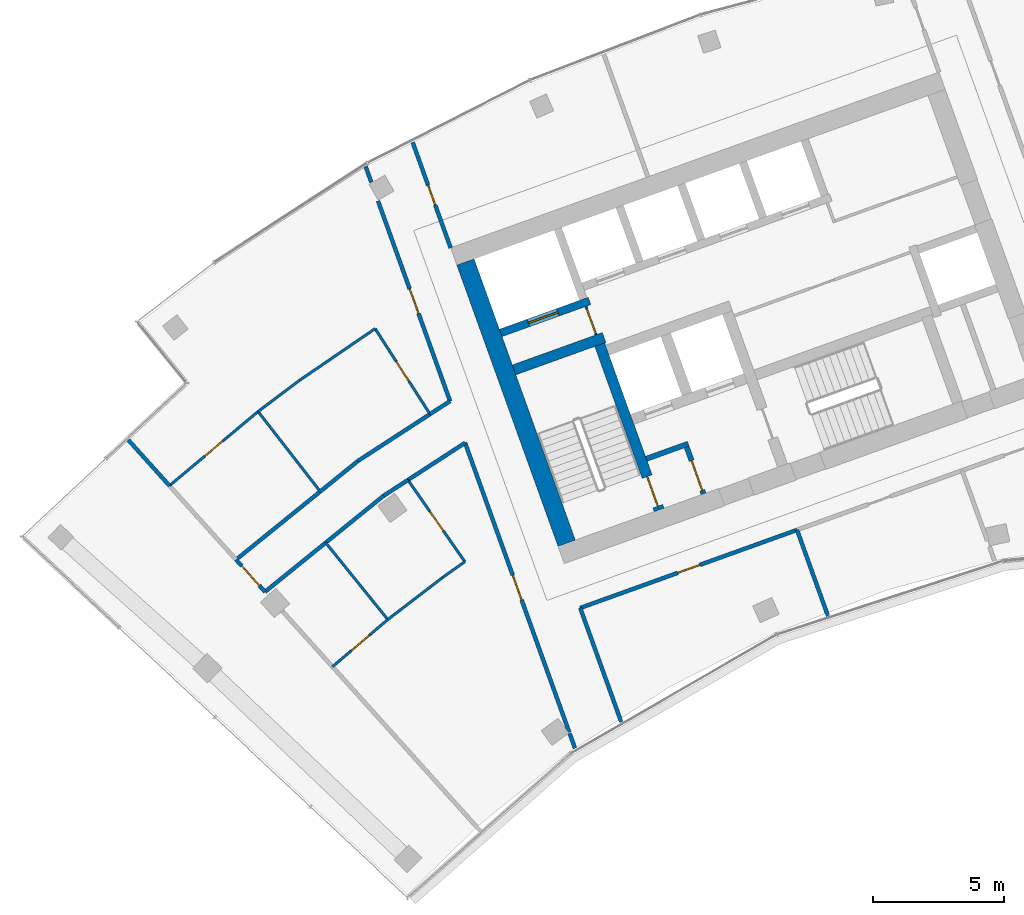
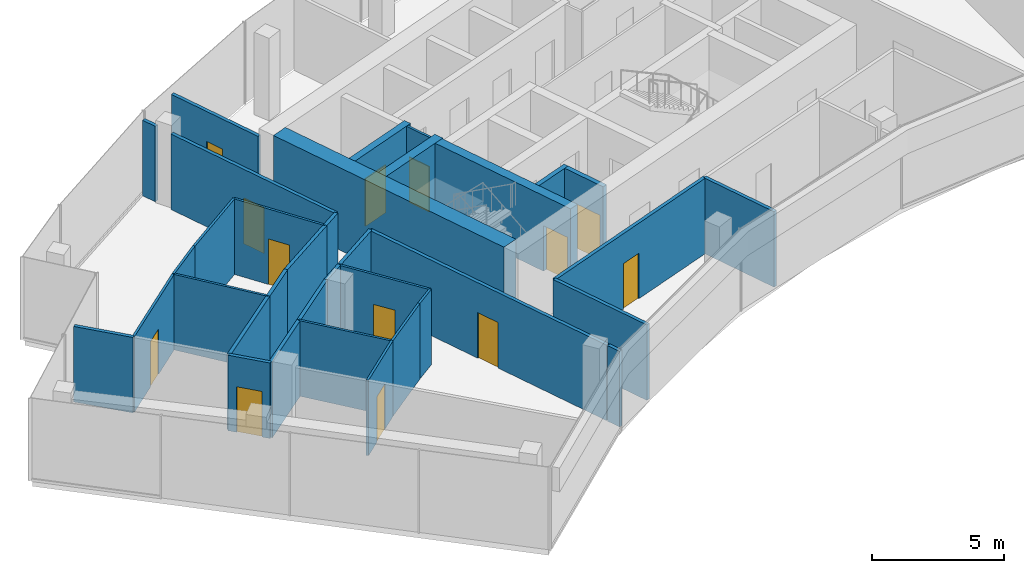
# One storey, part 12 of 18: 35 walls, 13 doors, 13 openings.
"""IFC4 building model written with IfcOpenShell, lengths in metres."""

import ifcopenshell
import ifcopenshell.guid

model = None  # the IFC model being written
_history = None  # IfcOwnerHistory: only IFC2X3 demands one
_inside = {}  # id of a spatial element -> (the spatial element, [elements in it])
_under = {}  # id of a project, library or spatial element -> (it, [spatial elements below it])
_declared = {}  # id of a project -> (the project, [libraries it declares])
_typed = {}  # id of a type object -> (the type object, [elements of that type])
_made_of = {}  # id of a material, layer set ... -> (it, [elements and type objects made of it])


def new_model(schema):
    """Start an empty IFC model of exactly this schema.

    Asked for "IFC4X3", IfcOpenShell would pick the latest addendum, in which some entities
    have other attributes; the version numbers below select the first issue.
    IFC2X3 requires an IfcOwnerHistory on every rooted entity: one is made here for all.
    """
    global model, _history
    if schema == "IFC4X3":
        model = ifcopenshell.file(schema_version=(4, 3, 0, 0))
    else:
        model = ifcopenshell.file(schema=schema)
    _inside.clear()
    _under.clear()
    _declared.clear()
    _typed.clear()
    _made_of.clear()
    _history = None
    if model.schema == "IFC2X3":
        org = make("IfcOrganization", Name="unknown")
        user = make(
            "IfcPersonAndOrganization",
            ThePerson=make("IfcPerson", FamilyName="unknown"),
            TheOrganization=org,
        )
        app = make(
            "IfcApplication",
            ApplicationDeveloper=org,
            Version="unknown",
            ApplicationFullName="unknown",
            ApplicationIdentifier="unknown",
        )
        _history = make(
            "IfcOwnerHistory",
            OwningUser=user,
            OwningApplication=app,
            ChangeAction="ADDED",
            CreationDate=0,
        )
    return model


def make(cls, **values):
    """One entity of the class cls with the attributes given. An attribute that is None is left unset."""
    return model.create_entity(
        cls, **{name: value for name, value in values.items() if value is not None}
    )


def rooted(cls, **values):
    """An entity with a GlobalId (a new one), such as an element, a storey or a relation."""
    return make(cls, GlobalId=ifcopenshell.guid.new(), OwnerHistory=_history, **values)


def si_unit(unit_type, name, prefix=None):
    """IfcSIUnit, for example si_unit("LENGTHUNIT", "METRE", prefix="MILLI")."""
    return make("IfcSIUnit", UnitType=unit_type, Prefix=prefix, Name=name)


def assignment(units):
    """IfcUnitAssignment: the units of a project."""
    return None if units is None else make("IfcUnitAssignment", Units=units)


def point(xyz):
    """IfcCartesianPoint."""
    return None if xyz is None else make("IfcCartesianPoint", Coordinates=xyz)


def direction(xyz):
    """IfcDirection."""
    return None if xyz is None else make("IfcDirection", DirectionRatios=xyz)


def frame(location, z_axis=None, x_axis=None):
    """IfcAxis2Placement3D, a coordinate frame: its origin and axes. An axis left out is left unset."""
    return make(
        "IfcAxis2Placement3D",
        Location=point(location),
        Axis=direction(z_axis),
        RefDirection=direction(x_axis),
    )


def frame_2d(location, x_axis=None):
    """IfcAxis2Placement2D, a coordinate frame in the plane: its origin and x axis."""
    return make(
        "IfcAxis2Placement2D", Location=point(location), RefDirection=direction(x_axis)
    )


def origin():
    """The frame at (0, 0, 0) with its axes left unset."""
    return frame((0.0, 0.0, 0.0))


def place(relative_to, where):
    """IfcLocalPlacement: puts the frame where relative to a parent placement (None: the world)."""
    return make(
        "IfcLocalPlacement", PlacementRelTo=relative_to, RelativePlacement=where
    )


def context(
    kind, dimensions, precision=None, world=None, true_north=None, identifier=None
):
    """IfcGeometricRepresentationContext, for example the 3D "Model" context."""
    return make(
        "IfcGeometricRepresentationContext",
        ContextIdentifier=identifier,
        ContextType=kind,
        CoordinateSpaceDimension=dimensions,
        Precision=precision,
        WorldCoordinateSystem=world,
        TrueNorth=true_north,
    )


def subcontext(parent, identifier, kind, view, scale=None):
    """IfcGeometricRepresentationSubContext, for example "Body" below "Model"."""
    return make(
        "IfcGeometricRepresentationSubContext",
        ContextIdentifier=identifier,
        ContextType=kind,
        ParentContext=parent,
        TargetScale=scale,
        TargetView=view,
    )


def project(units=None, contexts=None):
    """IfcProject with its units and contexts."""
    return rooted(
        "IfcProject",
        Name="project",
        RepresentationContexts=contexts,
        UnitsInContext=assignment(units),
    )


def spatial(cls, under=None, at=None, **own):
    """A site, building, storey or space (cls), placed at a placement, below another one or the project."""
    s = rooted(cls, ObjectPlacement=at, **own)
    if under is not None:
        _under.setdefault(under.id(), (under, []))[1].append(s)
    return s


def profile(cls, at=None, kind="AREA", **sizes):
    """A parametric profile (cls). Its sizes go by their IFC names, for example OverallWidth=200.0."""
    return make(cls, ProfileType=kind, Position=at, **sizes)


def rectangle(**sizes):
    """IfcRectangleProfileDef."""
    return profile("IfcRectangleProfileDef", **sizes)


def extrude(swept, where, along, depth):
    """IfcExtrudedAreaSolid: the profile swept, set in the frame where, extruded along a direction by depth."""
    return make(
        "IfcExtrudedAreaSolid",
        SweptArea=swept,
        Position=where,
        ExtrudedDirection=direction(along),
        Depth=depth,
    )


def shape(context_of_items, identifier, shape_type, items):
    """IfcShapeRepresentation: the items that make up one representation, for example the "Body"."""
    return make(
        "IfcShapeRepresentation",
        ContextOfItems=context_of_items,
        RepresentationIdentifier=identifier,
        RepresentationType=shape_type,
        Items=items,
    )


def material(Name=None, Category=None):
    """IfcMaterial."""
    return make("IfcMaterial", Name=Name, Category=Category)


def layer(
    of_material, thickness, ventilated=None, Name=None, Category=None, Priority=None
):
    """IfcMaterialLayer: one layer of a wall or slab, of a material (None: an air gap)."""
    return make(
        "IfcMaterialLayer",
        Material=of_material,
        LayerThickness=thickness,
        IsVentilated=ventilated,
        Name=Name,
        Category=Category,
        Priority=Priority,
    )


def layer_set(layers, Name=None):
    """IfcMaterialLayerSet."""
    return make("IfcMaterialLayerSet", MaterialLayers=layers, LayerSetName=Name)


def made_of(thing, what):
    """Note that an element or type object is made of a material, layer set ...; save() writes the relation."""
    if what is not None:
        _made_of.setdefault(what.id(), (what, []))[1].append(thing)
    return thing


def type_object(cls, material=None, **own):
    """A type object (cls), such as IfcWallType, which elements share."""
    return made_of(rooted(cls, **own), material)


def element(
    cls,
    number,
    at=None,
    inside=None,
    cuts=None,
    type_object=None,
    material=None,
    context=None,
    identifier="Body",
    shape_type=None,
    held_by="IfcProductDefinitionShape",
    body=None,
    shapes=None,
    **own,
):
    """One element of the class cls, such as IfcWall. Its Tag is "e" and its number.

    at: its placement. inside: the storey or other place that contains it. cuts: it is an
    opening in that element (IfcRelVoidsElement). A single representation is given by context,
    identifier, shape_type and body (its items); several are given by shapes. held_by: the class
    of the entity that holds the representations. save() writes the other relations.
    """
    e = rooted(cls, Tag="e%d" % number, ObjectPlacement=at, **own)
    if body is not None:
        shapes = [shape(context, identifier, shape_type, body)]
    if shapes is not None:
        e.Representation = make(held_by, Representations=shapes)
    if inside is not None:
        _inside.setdefault(inside.id(), (inside, []))[1].append(e)
    if cuts is not None:
        rooted(
            "IfcRelVoidsElement", RelatingBuildingElement=cuts, RelatedOpeningElement=e
        )
    if type_object is not None:
        _typed.setdefault(type_object.id(), (type_object, []))[1].append(e)
    return made_of(e, material)


def fill(opening, filler):
    """IfcRelFillsElement: the door or window that sits in an opening."""
    return rooted(
        "IfcRelFillsElement",
        RelatingOpeningElement=opening,
        RelatedBuildingElement=filler,
    )


def aggregate(whole, parts):
    """IfcRelAggregates: a whole, such as a stair, and the parts it consists of."""
    return rooted("IfcRelAggregates", RelatingObject=whole, RelatedObjects=parts)


def save(model, path):
    """Write the relations noted so far, then the file.

    IfcRelAggregates (storeys below a building ...), IfcRelContainedInSpatialStructure (elements
    in a storey), IfcRelDefinesByType, IfcRelAssociatesMaterial and IfcRelDeclares: one each for
    every whole, place, type object, material and project.
    """
    for whole, parts in _under.values():
        aggregate(whole, parts)
    for where, things in _inside.values():
        rooted(
            "IfcRelContainedInSpatialStructure",
            RelatedElements=things,
            RelatingStructure=where,
        )
    for kind, things in _typed.values():
        rooted("IfcRelDefinesByType", RelatedObjects=things, RelatingType=kind)
    for what, things in _made_of.values():
        rooted("IfcRelAssociatesMaterial", RelatedObjects=things, RelatingMaterial=what)
    for by, libraries in _declared.values():
        rooted("IfcRelDeclares", RelatingContext=by, RelatedDefinitions=libraries)
    model.write(path)


model = new_model("IFC4")

# Units and contexts
model_context = context("Model", 3, precision=1e-05, world=origin(), true_north=direction((0.0, 1.0)))
body_context = subcontext(model_context, "Body", "Model", "MODEL_VIEW")
ifc_project = project(units=[si_unit("LENGTHUNIT", "METRE"), si_unit("AREAUNIT", "SQUARE_METRE"), si_unit("VOLUMEUNIT", "CUBIC_METRE"), si_unit("PLANEANGLEUNIT", "RADIAN"), si_unit("MASSUNIT", "GRAM", prefix="KILO")], contexts=[model_context])

# Site, building, storey
site_placement = place(None, origin())
site = spatial("IfcSite", under=ifc_project, at=site_placement, CompositionType="ELEMENT")
building_placement = place(site_placement, origin())
building = spatial("IfcBuilding", under=site, at=building_placement, Name="Stone Belt Terrace Tower", CompositionType="ELEMENT")
storey_placement = place(building_placement, frame((0.0, 0.0, 273.199951171875)))
storey = spatial("IfcBuildingStorey", under=building, at=storey_placement, Name="L66", CompositionType="ELEMENT", Elevation=273.199951171875)

# Wall, opening, door
ifc_material_1 = material(Name="Plasterboard partition")
ifc_layer_1 = layer(ifc_material_1, 0.10009765625)
ifc_layer_set_1 = layer_set([ifc_layer_1], Name="Core partition 100")
wall_type_1 = type_object("IfcWallType", Name="Core partition 100", PredefinedType="PARTITIONING", material=ifc_layer_set_1)
wall_1_placement = place(storey_placement, frame((-24.555908203125, 51.10400390625, 0.0), z_axis=(0.0, 0.0, 1.0), x_axis=(-0.338621735342, 0.94092258999, 0.0)))
wall_1 = element("IfcWall", 1, at=wall_1_placement, inside=storey, type_object=wall_type_1, Name="Core A wall", PredefinedType="PARTITIONING", context=body_context, shape_type="SweptSolid", body=[
    extrude(rectangle(XDim=1.14990234375, YDim=0.10009765625, at=frame_2d((0.574951171875, 0.0))), origin(), (0.0, 0.0, 1.0), 3.47998046875),
])
opening_1_placement = place(wall_1_placement, frame((0.050048828125, 0.0, 0.0)))
opening_1 = element("IfcOpeningElement", 2, at=opening_1_placement, cuts=wall_1, Name="Opening L66-C03", PredefinedType="OPENING", context=body_context, shape_type="SweptSolid", body=[
    extrude(rectangle(XDim=1.0, YDim=2.10009765625, at=frame_2d((0.5, 1.050048828125))), frame((0.0, 0.06005859375, 0.0), z_axis=(0.0, -1.0, 0.0), x_axis=(1.0, 0.0, 0.0)), (0.0, 0.0, 1.0), 0.1201171875),
])
ifc_material_2 = material(Name="Timber door leaf", Category="wood")
door_type_1 = type_object("IfcDoorType", Name="Core room door 1000", OperationType="SINGLE_SWING_LEFT", PredefinedType="DOOR", material=ifc_material_2)
door_1_placement = place(opening_1_placement, origin())
door_1 = element("IfcDoor", 3, at=door_1_placement, inside=storey, type_object=door_type_1, Name="Service lift lobby door core A", OperationType="SINGLE_SWING_LEFT", OverallHeight=2.10009765625, OverallWidth=1.0, PredefinedType="DOOR", context=body_context, shape_type="SweptSolid", body=[
    extrude(rectangle(XDim=1.0, YDim=2.10009765625, at=frame_2d((0.5, 1.050048828125))), frame((0.0, 0.02490234375, 0.0), z_axis=(0.0, -1.0, 0.0), x_axis=(1.0, 0.0, 0.0)), (0.0, 0.0, 1.0), 0.050048828125),
])
fill(opening_1, door_1)

# Wall
ifc_material_3 = material(Name="Concrete B60", Category="concrete")
ifc_layer_2 = layer(ifc_material_3, 0.699951171875)
ifc_layer_set_2 = layer_set([ifc_layer_2], Name="Core wall 700 B60")
wall_type_2 = type_object("IfcWallType", Name="Core wall 700 B60", PredefinedType="SHEAR", material=ifc_layer_set_2)
wall_2_placement = place(storey_placement, frame((-25.679931640625, 43.153564453125, 0.0), z_axis=(0.0, 0.0, 1.0), x_axis=(-0.338625431531, 0.940921259788, 0.0)))
element("IfcWall", 4, at=wall_2_placement, inside=storey, type_object=wall_type_2, Name="Core A wall end_a L66", PredefinedType="SHEAR", context=body_context, shape_type="SweptSolid", body=[
    extrude(rectangle(XDim=11.400146484375, YDim=0.699951171875, at=frame_2d((5.7001953125, 0.0))), origin(), (0.0, 0.0, 1.0), 3.800048828125),
])

# Wall, opening, door
ifc_material_4 = material(Name="Concrete B80", Category="concrete")
ifc_layer_3 = layer(ifc_material_4, 0.300048828125)
ifc_layer_set_3 = layer_set([ifc_layer_3], Name="Lift shaft wall 300")
wall_type_3 = type_object("IfcWallType", Name="Lift shaft wall 300", PredefinedType="SHEAR", material=ifc_layer_set_3)
wall_3_placement = place(storey_placement, frame((-28.195068359375, 51.17578125, 0.0), z_axis=(0.0, 0.0, 1.0), x_axis=(0.940901243567, 0.338681044427, 0.0)))
wall_3 = element("IfcWall", 5, at=wall_3_placement, inside=storey, type_object=wall_type_3, Name="Core A wall", PredefinedType="SHEAR", context=body_context, shape_type="SweptSolid", body=[
    extrude(rectangle(XDim=3.599853515625, YDim=0.300048828125, at=frame_2d((1.7998046875, 0.0))), origin(), (0.0, 0.0, 1.0), 3.47998046875),
])
opening_2_placement = place(wall_3_placement, frame((1.1201171875, 0.0, 0.0)))
opening_2 = element("IfcOpeningElement", 6, at=opening_2_placement, cuts=wall_3, Name="Opening L66-LD07", PredefinedType="OPENING", context=body_context, shape_type="SweptSolid", body=[
    extrude(rectangle(XDim=1.199951171875, YDim=2.199951171875, at=frame_2d((0.60009765625, 1.10009765625))), frame((0.0, 0.159912109375, 0.0), z_axis=(0.0, -1.0, 0.0), x_axis=(1.0, 0.0, 0.0)), (0.0, 0.0, 1.0), 0.320068359375),
])
ifc_material_5 = material(Name="Stainless steel door leaf", Category="steel")
door_type_2 = type_object("IfcDoorType", Name="Landing door 1200", OperationType="SLIDING_TO_LEFT", PredefinedType="DOOR", material=ifc_material_5)
door_2_placement = place(opening_2_placement, origin())
door_2 = element("IfcDoor", 7, at=door_2_placement, inside=storey, type_object=door_type_2, Name="Landing door SV1 core A", OperationType="SLIDING_TO_LEFT", OverallHeight=2.199951171875, OverallWidth=1.199951171875, PredefinedType="DOOR", context=body_context, shape_type="SweptSolid", body=[
    extrude(rectangle(XDim=1.199951171875, YDim=2.199951171875, at=frame_2d((0.60009765625, 1.10009765625))), frame((0.0, 0.02490234375, 0.0), z_axis=(0.0, -1.0, 0.0), x_axis=(1.0, 0.0, 0.0)), (0.0, 0.0, 1.0), 0.050048828125),
])
fill(opening_2, door_2)

ifc_material_6 = material(Name="Gypsum board partition")
ifc_layer_4 = layer(ifc_material_6, 0.10009765625)
ifc_layer_set_4 = layer_set([ifc_layer_4], Name="PARTITION 100")
wall_type_4 = type_object("IfcWallType", Name="PARTITION 100", PredefinedType="PARTITIONING", material=ifc_layer_set_4)
wall_4_placement = place(storey_placement, frame((-34.614013671875, 38.443115234375, 0.0), z_axis=(0.0, 0.0, 1.0), x_axis=(0.761006539664, 0.648744207364, 0.0)))
wall_4 = element("IfcWall", 8, at=wall_4_placement, inside=storey, type_object=wall_type_4, Name="L66/wall/i050", PredefinedType="PARTITIONING", context=body_context, shape_type="SweptSolid", body=[
    extrude(rectangle(XDim=2.772705078125, YDim=0.10009765625, at=frame_2d((1.38623046875, 0.0))), origin(), (0.0, 0.0, 1.0), 3.47998046875),
])
opening_3_placement = place(wall_4_placement, frame((0.9365234375, 0.0, 0.0)))
opening_3 = element("IfcOpeningElement", 9, at=opening_3_placement, cuts=wall_4, Name="Opening D-E2-13", PredefinedType="OPENING", context=body_context, shape_type="SweptSolid", body=[
    extrude(rectangle(XDim=0.89990234375, YDim=2.10009765625, at=frame_2d((0.449951171875, 1.050048828125))), frame((0.0, 0.06005859375, 0.0), z_axis=(0.0, -1.0, 0.0), x_axis=(1.0, 0.0, 0.0)), (0.0, 0.0, 1.0), 0.1201171875),
])
door_type_3 = type_object("IfcDoorType", Name="OFFICE DOOR 900 X 2100", OperationType="NOTDEFINED", PredefinedType="DOOR", material=ifc_material_2)
door_3_placement = place(opening_3_placement, origin())
door_3 = element("IfcDoor", 10, at=door_3_placement, inside=storey, type_object=door_type_3, Name="L66/door/i13", OperationType="SINGLE_SWING_RIGHT", OverallHeight=2.10009765625, OverallWidth=0.89990234375, PredefinedType="DOOR", context=body_context, shape_type="SweptSolid", body=[
    extrude(rectangle(XDim=0.89990234375, YDim=2.10009765625, at=frame_2d((0.449951171875, 1.050048828125))), frame((0.0, 0.02490234375, 0.0), z_axis=(0.0, -1.0, 0.0), x_axis=(1.0, 0.0, 0.0)), (0.0, 0.0, 1.0), 0.050048828125),
])
fill(opening_3, door_3)

# Walls
wall_5_placement = place(storey_placement, frame((-32.50390625, 40.241943359375, 0.0), z_axis=(0.0, 0.0, 1.0), x_axis=(0.79364946925, 0.60837531176, 0.0)))
element("IfcWall", 11, at=wall_5_placement, inside=storey, type_object=wall_type_4, Name="L66/wall/i051", PredefinedType="PARTITIONING", context=body_context, shape_type="SweptSolid", body=[
    extrude(rectangle(XDim=2.643310546875, YDim=0.10009765625, at=frame_2d((1.32177734375, 0.0))), origin(), (0.0, 0.0, 1.0), 3.47998046875),
])
wall_6_placement = place(storey_placement, frame((-30.406005859375, 41.85009765625, 0.0), z_axis=(0.0, 0.0, 1.0), x_axis=(0.814913166391, 0.579583066732, 0.0)))
element("IfcWall", 12, at=wall_6_placement, inside=storey, type_object=wall_type_4, Name="L66/wall/i052", PredefinedType="PARTITIONING", context=body_context, shape_type="SweptSolid", body=[
    extrude(rectangle(XDim=1.033203125, YDim=0.10009765625, at=frame_2d((0.5166015625, 0.0))), origin(), (0.0, 0.0, 1.0), 3.47998046875),
])

# Wall, opening, door
wall_7_placement = place(storey_placement, frame((-29.56396484375, 42.448974609375, 0.0), z_axis=(0.0, 0.0, 1.0), x_axis=(-0.571687766548, 0.820471265541, 0.0)))
wall_7 = element("IfcWall", 13, at=wall_7_placement, inside=storey, type_object=wall_type_4, Name="L66/wall/i053", PredefinedType="PARTITIONING", context=body_context, shape_type="SweptSolid", body=[
    extrude(rectangle(XDim=3.7978515625, YDim=0.10009765625, at=frame_2d((1.89892578125, 0.0))), origin(), (0.0, 0.0, 1.0), 3.47998046875),
])
opening_4_placement = place(wall_7_placement, frame((1.448974609375, 0.0, 0.0)))
opening_4 = element("IfcOpeningElement", 14, at=opening_4_placement, cuts=wall_7, Name="Opening D-E2-14", PredefinedType="OPENING", context=body_context, shape_type="SweptSolid", body=[
    extrude(rectangle(XDim=0.89990234375, YDim=2.10009765625, at=frame_2d((0.449951171875, 1.050048828125))), frame((0.0, 0.06005859375, 0.0), z_axis=(0.0, -1.0, 0.0), x_axis=(1.0, 0.0, 0.0)), (0.0, 0.0, 1.0), 0.1201171875),
])
door_4_placement = place(opening_4_placement, origin())
door_4 = element("IfcDoor", 15, at=door_4_placement, inside=storey, type_object=door_type_3, Name="L66/door/i14", OperationType="SINGLE_SWING_RIGHT", OverallHeight=2.10009765625, OverallWidth=0.89990234375, PredefinedType="DOOR", context=body_context, shape_type="SweptSolid", body=[
    extrude(rectangle(XDim=0.89990234375, YDim=2.10009765625, at=frame_2d((0.449951171875, 1.050048828125))), frame((0.0, 0.02490234375, 0.0), z_axis=(0.0, -1.0, 0.0), x_axis=(1.0, 0.0, 0.0)), (0.0, 0.0, 1.0), 0.050048828125),
])
fill(opening_4, door_4)

# Wall
wall_8_placement = place(storey_placement, frame((-34.873046875, 43.174072265625, 0.0), z_axis=(0.0, 0.0, 1.0), x_axis=(0.628478802545, -0.777826712547, 0.0)))
element("IfcWall", 16, at=wall_8_placement, inside=storey, type_object=wall_type_4, Name="L66/wall/i054", PredefinedType="PARTITIONING", context=body_context, shape_type="SweptSolid", body=[
    extrude(rectangle(XDim=3.76953125, YDim=0.10009765625, at=frame_2d((1.884765625, 0.0))), origin(), (0.0, 0.0, 1.0), 3.47998046875),
])

# Wall, opening, door
wall_9_placement = place(storey_placement, frame((-37.451904296875, 48.177001953125, 0.0), z_axis=(0.0, 0.0, 1.0), x_axis=(-0.766843891386, -0.641833659327, 0.0)))
wall_9 = element("IfcWall", 17, at=wall_9_placement, inside=storey, type_object=wall_type_4, Name="L66/wall/i055", PredefinedType="PARTITIONING", context=body_context, shape_type="SweptSolid", body=[
    extrude(rectangle(XDim=4.407958984375, YDim=0.10009765625, at=frame_2d((2.2041015625, 0.0))), origin(), (0.0, 0.0, 1.0), 3.47998046875),
])
opening_5_placement = place(wall_9_placement, frame((1.75390625, 0.0, 0.0)))
opening_5 = element("IfcOpeningElement", 18, at=opening_5_placement, cuts=wall_9, Name="Opening D-E2-16", PredefinedType="OPENING", context=body_context, shape_type="SweptSolid", body=[
    extrude(rectangle(XDim=0.89990234375, YDim=2.10009765625, at=frame_2d((0.449951171875, 1.050048828125))), frame((0.0, 0.06005859375, 0.0), z_axis=(0.0, -1.0, 0.0), x_axis=(1.0, 0.0, 0.0)), (0.0, 0.0, 1.0), 0.1201171875),
])
door_5_placement = place(opening_5_placement, origin())
door_5 = element("IfcDoor", 19, at=door_5_placement, inside=storey, type_object=door_type_3, Name="L66/door/i16", OperationType="SINGLE_SWING_RIGHT", OverallHeight=2.10009765625, OverallWidth=0.89990234375, PredefinedType="DOOR", context=body_context, shape_type="SweptSolid", body=[
    extrude(rectangle(XDim=0.89990234375, YDim=2.10009765625, at=frame_2d((0.449951171875, 1.050048828125))), frame((0.0, 0.02490234375, 0.0), z_axis=(0.0, -1.0, 0.0), x_axis=(1.0, 0.0, 0.0)), (0.0, 0.0, 1.0), 0.050048828125),
])
fill(opening_5, door_5)

wall_10_placement = place(storey_placement, frame((-30.89208984375, 48.077880859375, 0.0), z_axis=(0.0, 0.0, 1.0), x_axis=(-0.540442272647, 0.841381096731, 0.0)))
wall_10 = element("IfcWall", 20, at=wall_10_placement, inside=storey, type_object=wall_type_4, Name="L66/wall/i056", PredefinedType="PARTITIONING", context=body_context, shape_type="SweptSolid", body=[
    extrude(rectangle(XDim=3.87451171875, YDim=0.10009765625, at=frame_2d((1.937255859375, 0.0))), origin(), (0.0, 0.0, 1.0), 3.47998046875),
])
opening_6_placement = place(wall_10_placement, frame((1.4873046875, 0.0, 0.0)))
opening_6 = element("IfcOpeningElement", 21, at=opening_6_placement, cuts=wall_10, Name="Opening D-E2-17", PredefinedType="OPENING", context=body_context, shape_type="SweptSolid", body=[
    extrude(rectangle(XDim=0.89990234375, YDim=2.10009765625, at=frame_2d((0.449951171875, 1.050048828125))), frame((0.0, 0.06005859375, 0.0), z_axis=(0.0, -1.0, 0.0), x_axis=(1.0, 0.0, 0.0)), (0.0, 0.0, 1.0), 0.1201171875),
])
door_6_placement = place(opening_6_placement, origin())
door_6 = element("IfcDoor", 22, at=door_6_placement, inside=storey, type_object=door_type_3, Name="L66/door/i17", OperationType="SINGLE_SWING_RIGHT", OverallHeight=2.10009765625, OverallWidth=0.89990234375, PredefinedType="DOOR", context=body_context, shape_type="SweptSolid", body=[
    extrude(rectangle(XDim=0.89990234375, YDim=2.10009765625, at=frame_2d((0.449951171875, 1.050048828125))), frame((0.0, 0.02490234375, 0.0), z_axis=(0.0, -1.0, 0.0), x_axis=(1.0, 0.0, 0.0)), (0.0, 0.0, 1.0), 0.050048828125),
])
fill(opening_6, door_6)

# Walls
wall_11_placement = place(storey_placement, frame((-32.986083984375, 51.337890625, 0.0), z_axis=(0.0, 0.0, 1.0), x_axis=(-0.825549065717, -0.5643303466, 0.0)))
element("IfcWall", 23, at=wall_11_placement, inside=storey, type_object=wall_type_4, Name="L66/wall/i057", PredefinedType="PARTITIONING", context=body_context, shape_type="SweptSolid", body=[
    extrude(rectangle(XDim=3.49072265625, YDim=0.10009765625, at=frame_2d((1.745361328125, 0.0))), origin(), (0.0, 0.0, 1.0), 3.47998046875),
])
wall_12_placement = place(storey_placement, frame((-35.867919921875, 49.367919921875, 0.0), z_axis=(0.0, 0.0, 1.0), x_axis=(-0.799289836713, -0.600945718786, 0.0)))
element("IfcWall", 24, at=wall_12_placement, inside=storey, type_object=wall_type_4, Name="L66/wall/i058", PredefinedType="PARTITIONING", context=body_context, shape_type="SweptSolid", body=[
    extrude(rectangle(XDim=1.981689453125, YDim=0.10009765625, at=frame_2d((0.99072265625, 0.0))), origin(), (0.0, 0.0, 1.0), 3.47998046875),
])
wall_13_placement = place(storey_placement, frame((-37.451904296875, 48.177001953125, 0.0), z_axis=(0.0, 0.0, 1.0), x_axis=(0.613748153551, -0.78950187081, 0.0)))
element("IfcWall", 25, at=wall_13_placement, inside=storey, type_object=wall_type_4, Name="L66/wall/i059", PredefinedType="PARTITIONING", context=body_context, shape_type="SweptSolid", body=[
    extrude(rectangle(XDim=3.864501953125, YDim=0.10009765625, at=frame_2d((1.93212890625, 0.0))), origin(), (0.0, 0.0, 1.0), 3.47998046875),
])
ifc_layer_5 = layer(ifc_material_6, 0.14990234375)
ifc_layer_set_5 = layer_set([ifc_layer_5], Name="PARTITION 150 EI 60")
wall_type_5 = type_object("IfcWallType", Name="PARTITION 150 EI 60", PredefinedType="PARTITIONING", material=ifc_layer_set_5)
wall_14_placement = place(storey_placement, frame((-25.1650390625, 40.68896484375, 0.0), z_axis=(0.0, 0.0, 1.0), x_axis=(0.338609342271, -0.94092704995, 0.0)))
element("IfcWall", 26, at=wall_14_placement, inside=storey, type_object=wall_type_5, Name="L66/wall/i001", PredefinedType="PARTITIONING", context=body_context, shape_type="SweptSolid", body=[
    extrude(rectangle(XDim=4.6318359375, YDim=0.14990234375, at=frame_2d((2.31591796875, 0.0))), origin(), (0.0, 0.0, 1.0), 3.47998046875),
])

# Wall, opening, door
wall_15_placement = place(storey_placement, frame((-31.556884765625, 58.4521484375, 0.0), z_axis=(0.0, 0.0, 1.0), x_axis=(0.338580264222, -0.940937513695, 0.0)))
wall_15 = element("IfcWall", 27, at=wall_15_placement, inside=storey, type_object=wall_type_5, Name="L66/wall/i002", PredefinedType="PARTITIONING", context=body_context, shape_type="SweptSolid", body=[
    extrude(rectangle(XDim=4.285400390625, YDim=0.14990234375, at=frame_2d((2.142578125, 0.0))), origin(), (0.0, 0.0, 1.0), 3.47998046875),
])
opening_7_placement = place(wall_15_placement, frame((1.74267578125, 0.0, 0.0)))
opening_7 = element("IfcOpeningElement", 28, at=opening_7_placement, cuts=wall_15, Name="Opening D-E2-04", PredefinedType="OPENING", context=body_context, shape_type="SweptSolid", body=[
    extrude(rectangle(XDim=0.800048828125, YDim=2.10009765625, at=frame_2d((0.39990234375, 1.050048828125))), frame((0.0, 0.0849609375, 0.0), z_axis=(0.0, -1.0, 0.0), x_axis=(1.0, 0.0, 0.0)), (0.0, 0.0, 1.0), 0.169921875),
])
door_type_4 = type_object("IfcDoorType", Name="STORE DOOR 800 X 2100", OperationType="NOTDEFINED", PredefinedType="DOOR", material=ifc_material_2)
door_7_placement = place(opening_7_placement, origin())
door_7 = element("IfcDoor", 29, at=door_7_placement, inside=storey, type_object=door_type_4, Name="L66/door/i04", OperationType="SINGLE_SWING_RIGHT", OverallHeight=2.10009765625, OverallWidth=0.800048828125, PredefinedType="DOOR", context=body_context, shape_type="SweptSolid", body=[
    extrude(rectangle(XDim=0.800048828125, YDim=2.10009765625, at=frame_2d((0.39990234375, 1.050048828125))), frame((0.0, 0.02490234375, 0.0), z_axis=(0.0, -1.0, 0.0), x_axis=(1.0, 0.0, 0.0)), (0.0, 0.0, 1.0), 0.050048828125),
])
fill(opening_7, door_7)

# Wall
wall_16_placement = place(storey_placement, frame((-25.361083984375, 35.329833984375, 0.0), z_axis=(0.0, 0.0, 1.0), x_axis=(-0.338633814852, 0.940918242696, 0.0)))
element("IfcWall", 30, at=wall_16_placement, inside=storey, type_object=wall_type_5, Name="L66/wall/i003", PredefinedType="PARTITIONING", context=body_context, shape_type="SweptSolid", body=[
    extrude(rectangle(XDim=0.605712890625, YDim=0.14990234375, at=frame_2d((0.302734375, 0.0))), origin(), (0.0, 0.0, 1.0), 3.47998046875),
])

# Wall, opening, door
wall_17_placement = place(storey_placement, frame((-25.5810546875, 35.94091796875, 0.0), z_axis=(0.0, 0.0, 1.0), x_axis=(-0.338660555828, 0.940908618265, 0.0)))
wall_17 = element("IfcWall", 31, at=wall_17_placement, inside=storey, type_object=wall_type_5, Name="L66/wall/i004", PredefinedType="PARTITIONING", context=body_context, shape_type="SweptSolid", body=[
    extrude(rectangle(XDim=11.73974609375, YDim=0.14990234375, at=frame_2d((5.869873046875, 0.0))), origin(), (0.0, 0.0, 1.0), 3.47998046875),
])
opening_8_placement = place(wall_17_placement, frame((5.369873046875, 0.0, 0.0)))
opening_8 = element("IfcOpeningElement", 32, at=opening_8_placement, cuts=wall_17, Name="Opening D-E2-12", PredefinedType="OPENING", context=body_context, shape_type="SweptSolid", body=[
    extrude(rectangle(XDim=1.0, YDim=2.10009765625, at=frame_2d((0.5, 1.050048828125))), frame((0.0, 0.0849609375, 0.0), z_axis=(0.0, -1.0, 0.0), x_axis=(1.0, 0.0, 0.0)), (0.0, 0.0, 1.0), 0.169921875),
])
ifc_material_7 = material(Name="Timber fire door leaf", Category="wood")
door_type_5 = type_object("IfcDoorType", Name="TENANCY ENTRANCE DOOR 1000 X 2100", OperationType="NOTDEFINED", PredefinedType="DOOR", material=ifc_material_7)
door_8_placement = place(opening_8_placement, origin())
door_8 = element("IfcDoor", 33, at=door_8_placement, inside=storey, type_object=door_type_5, Name="L66/door/i12", OperationType="SINGLE_SWING_LEFT", OverallHeight=2.10009765625, OverallWidth=1.0, PredefinedType="DOOR", context=body_context, shape_type="SweptSolid", body=[
    extrude(rectangle(XDim=1.0, YDim=2.10009765625, at=frame_2d((0.5, 1.050048828125))), frame((0.0, 0.02490234375, 0.0), z_axis=(0.0, -1.0, 0.0), x_axis=(1.0, 0.0, 0.0)), (0.0, 0.0, 1.0), 0.050048828125),
])
fill(opening_8, door_8)

wall_18_placement = place(storey_placement, frame((-30.1259765625, 48.568115234375, 0.0), z_axis=(0.0, 0.0, 1.0), x_axis=(-0.338638537247, 0.940916543106, 0.0)))
wall_18 = element("IfcWall", 34, at=wall_18_placement, inside=storey, type_object=wall_type_5, Name="L66/wall/i005", PredefinedType="PARTITIONING", context=body_context, shape_type="SweptSolid", body=[
    extrude(rectangle(XDim=8.11865234375, YDim=0.14990234375, at=frame_2d((4.059326171875, 0.0))), origin(), (0.0, 0.0, 1.0), 3.47998046875),
])
opening_9_placement = place(wall_18_placement, frame((3.559326171875, 0.0, 0.0)))
opening_9 = element("IfcOpeningElement", 35, at=opening_9_placement, cuts=wall_18, Name="Opening D-E2-15", PredefinedType="OPENING", context=body_context, shape_type="SweptSolid", body=[
    extrude(rectangle(XDim=1.0, YDim=2.10009765625, at=frame_2d((0.5, 1.050048828125))), frame((0.0, 0.0849609375, 0.0), z_axis=(0.0, -1.0, 0.0), x_axis=(1.0, 0.0, 0.0)), (0.0, 0.0, 1.0), 0.169921875),
])
door_9_placement = place(opening_9_placement, origin())
door_9 = element("IfcDoor", 36, at=door_9_placement, inside=storey, type_object=door_type_5, Name="L66/door/i15", OperationType="SINGLE_SWING_RIGHT", OverallHeight=2.10009765625, OverallWidth=1.0, PredefinedType="DOOR", context=body_context, shape_type="SweptSolid", body=[
    extrude(rectangle(XDim=1.0, YDim=2.10009765625, at=frame_2d((0.5, 1.050048828125))), frame((0.0, 0.02490234375, 0.0), z_axis=(0.0, -1.0, 0.0), x_axis=(1.0, 0.0, 0.0)), (0.0, 0.0, 1.0), 0.050048828125),
])
fill(opening_9, door_9)

# Wall
wall_19_placement = place(storey_placement, frame((-33.134765625, 56.928466796875, 0.0), z_axis=(0.0, 0.0, 1.0), x_axis=(-0.338733145318, 0.94088248802, 0.0)))
element("IfcWall", 37, at=wall_19_placement, inside=storey, type_object=wall_type_5, Name="L66/wall/i006", PredefinedType="PARTITIONING", context=body_context, shape_type="SweptSolid", body=[
    extrude(rectangle(XDim=0.632080078125, YDim=0.14990234375, at=frame_2d((0.31591796875, 0.0))), origin(), (0.0, 0.0, 1.0), 3.47998046875),
])

# Wall, opening, door
wall_20_placement = place(storey_placement, frame((-16.886962890625, 43.662109375, 0.0), z_axis=(0.0, 0.0, 1.0), x_axis=(-0.940901918057, -0.338679170599, 0.0)))
wall_20 = element("IfcWall", 38, at=wall_20_placement, inside=storey, type_object=wall_type_5, Name="L66/wall/i011", PredefinedType="PARTITIONING", context=body_context, shape_type="SweptSolid", body=[
    extrude(rectangle(XDim=8.7958984375, YDim=0.14990234375, at=frame_2d((4.39794921875, 0.0))), origin(), (0.0, 0.0, 1.0), 3.47998046875),
])
opening_10_placement = place(wall_20_placement, frame((3.947998046875, 0.0, 0.0)))
opening_10 = element("IfcOpeningElement", 39, at=opening_10_placement, cuts=wall_20, Name="Opening D-E2-01", PredefinedType="OPENING", context=body_context, shape_type="SweptSolid", body=[
    extrude(rectangle(XDim=0.89990234375, YDim=2.10009765625, at=frame_2d((0.449951171875, 1.050048828125))), frame((0.0, 0.0849609375, 0.0), z_axis=(0.0, -1.0, 0.0), x_axis=(1.0, 0.0, 0.0)), (0.0, 0.0, 1.0), 0.169921875),
])
door_10_placement = place(opening_10_placement, origin())
door_10 = element("IfcDoor", 40, at=door_10_placement, inside=storey, type_object=door_type_3, Name="L66/door/i01", OperationType="SINGLE_SWING_RIGHT", OverallHeight=2.10009765625, OverallWidth=0.89990234375, PredefinedType="DOOR", context=body_context, shape_type="SweptSolid", body=[
    extrude(rectangle(XDim=0.89990234375, YDim=2.10009765625, at=frame_2d((0.449951171875, 1.050048828125))), frame((0.0, 0.02490234375, 0.0), z_axis=(0.0, -1.0, 0.0), x_axis=(1.0, 0.0, 0.0)), (0.0, 0.0, 1.0), 0.050048828125),
])
fill(opening_10, door_10)

# Wall
wall_21_placement = place(storey_placement, frame((-16.89208984375, 43.658935546875, 0.0), z_axis=(0.0, 0.0, 1.0), x_axis=(0.33852083137, -0.94095889747, 0.0)))
element("IfcWall", 41, at=wall_21_placement, inside=storey, type_object=wall_type_5, Name="L66/wall/i014", PredefinedType="PARTITIONING", context=body_context, shape_type="SweptSolid", body=[
    extrude(rectangle(XDim=3.48193359375, YDim=0.14990234375, at=frame_2d((1.740966796875, 0.0))), origin(), (0.0, 0.0, 1.0), 3.47998046875),
])

# Wall, opening, door
wall_22_placement = place(storey_placement, frame((-37.18310546875, 41.294921875, 0.0), z_axis=(0.0, 0.0, 1.0), x_axis=(-0.669037778615, 0.743228397456, 0.0)))
wall_22 = element("IfcWall", 42, at=wall_22_placement, inside=storey, type_object=wall_type_5, Name="L66/wall/i037", PredefinedType="PARTITIONING", context=body_context, shape_type="SweptSolid", body=[
    extrude(rectangle(XDim=1.661865234375, YDim=0.14990234375, at=frame_2d((0.8310546875, 0.0))), origin(), (0.0, 0.0, 1.0), 3.47998046875),
])
opening_11_placement = place(wall_22_placement, frame((0.330810546875, 0.0, 0.0)))
opening_11 = element("IfcOpeningElement", 43, at=opening_11_placement, cuts=wall_22, Name="Opening D-E2-11", PredefinedType="OPENING", context=body_context, shape_type="SweptSolid", body=[
    extrude(rectangle(XDim=1.0, YDim=2.10009765625, at=frame_2d((0.5, 1.050048828125))), frame((0.0, 0.0849609375, 0.0), z_axis=(0.0, -1.0, 0.0), x_axis=(1.0, 0.0, 0.0)), (0.0, 0.0, 1.0), 0.169921875),
])
door_11_placement = place(opening_11_placement, origin())
door_11 = element("IfcDoor", 44, at=door_11_placement, inside=storey, type_object=door_type_5, Name="L66/door/i11", OperationType="SINGLE_SWING_RIGHT", OverallHeight=2.10009765625, OverallWidth=1.0, PredefinedType="DOOR", context=body_context, shape_type="SweptSolid", body=[
    extrude(rectangle(XDim=1.0, YDim=2.10009765625, at=frame_2d((0.5, 1.050048828125))), frame((0.0, 0.02490234375, 0.0), z_axis=(0.0, -1.0, 0.0), x_axis=(1.0, 0.0, 0.0)), (0.0, 0.0, 1.0), 0.050048828125),
])
fill(opening_11, door_11)

# Walls
wall_23_placement = place(storey_placement, frame((-42.39892578125, 47.08837890625, 0.0), z_axis=(0.0, 0.0, 1.0), x_axis=(0.669016425436, -0.743247618561, 0.0)))
element("IfcWall", 45, at=wall_23_placement, inside=storey, type_object=wall_type_5, Name="L66/wall/i040", PredefinedType="PARTITIONING", context=body_context, shape_type="SweptSolid", body=[
    extrude(rectangle(XDim=2.348388671875, YDim=0.14990234375, at=frame_2d((1.17431640625, 0.0))), origin(), (0.0, 0.0, 1.0), 3.47998046875),
])
wall_24_placement = place(storey_placement, frame((-29.554931640625, 46.98095703125, 0.0), z_axis=(0.0, 0.0, 1.0), x_axis=(-0.838679041063, -0.544625987336, 0.0)))
element("IfcWall", 46, at=wall_24_placement, inside=storey, type_object=wall_type_5, Name="L66/wall/i042", PredefinedType="PARTITIONING", context=body_context, shape_type="SweptSolid", body=[
    extrude(rectangle(XDim=2.60546875, YDim=0.14990234375, at=frame_2d((1.302734375, 0.0))), origin(), (0.0, 0.0, 1.0), 3.47998046875),
])
wall_25_placement = place(storey_placement, frame((-34.867919921875, 43.177978515625, 0.0), z_axis=(0.0, 0.0, 1.0), x_axis=(-0.777151504494, -0.629313545907, 0.0)))
element("IfcWall", 47, at=wall_25_placement, inside=storey, type_object=wall_type_5, Name="L66/wall/i043", PredefinedType="PARTITIONING", context=body_context, shape_type="SweptSolid", body=[
    extrude(rectangle(XDim=2.984130859375, YDim=0.14990234375, at=frame_2d((1.4921875, 0.0))), origin(), (0.0, 0.0, 1.0), 3.47998046875),
])
wall_26_placement = place(storey_placement, frame((-31.72998046875, 45.568115234375, 0.0), z_axis=(0.0, 0.0, 1.0), x_axis=(-0.838953186683, -0.544203592927, 0.0)))
element("IfcWall", 48, at=wall_26_placement, inside=storey, type_object=wall_type_5, Name="L66/wall/i044", PredefinedType="PARTITIONING", context=body_context, shape_type="SweptSolid", body=[
    extrude(rectangle(XDim=1.11572265625, YDim=0.14990234375, at=frame_2d((0.557861328125, 0.0))), origin(), (0.0, 0.0, 1.0), 3.47998046875),
])
wall_27_placement = place(storey_placement, frame((-32.666015625, 44.9609375, 0.0), z_axis=(0.0, 0.0, 1.0), x_axis=(-0.77717295087, -0.629287060439, 0.0)))
element("IfcWall", 49, at=wall_27_placement, inside=storey, type_object=wall_type_5, Name="L66/wall/i045", PredefinedType="PARTITIONING", context=body_context, shape_type="SweptSolid", body=[
    extrude(rectangle(XDim=2.84619140625, YDim=0.14990234375, at=frame_2d((1.423095703125, 0.0))), origin(), (0.0, 0.0, 1.0), 3.47998046875),
])
wall_28_placement = place(storey_placement, frame((-30.89697265625, 48.074951171875, 0.0), z_axis=(0.0, 0.0, 1.0), x_axis=(0.838869265382, 0.544332945537, 0.0)))
element("IfcWall", 50, at=wall_28_placement, inside=storey, type_object=wall_type_5, Name="L66/wall/i046", PredefinedType="PARTITIONING", context=body_context, shape_type="SweptSolid", body=[
    extrude(rectangle(XDim=0.916748046875, YDim=0.14990234375, at=frame_2d((0.45849609375, 0.0))), origin(), (0.0, 0.0, 1.0), 3.47998046875),
])
wall_29_placement = place(storey_placement, frame((-38.291015625, 42.52587890625, 0.0), z_axis=(0.0, 0.0, 1.0), x_axis=(0.777183040094, 0.629274599988, 0.0)))
element("IfcWall", 51, at=wall_29_placement, inside=storey, type_object=wall_type_5, Name="L66/wall/i047", PredefinedType="PARTITIONING", context=body_context, shape_type="SweptSolid", body=[
    extrude(rectangle(XDim=4.13818359375, YDim=0.14990234375, at=frame_2d((2.069091796875, 0.0))), origin(), (0.0, 0.0, 1.0), 3.47998046875),
])
wall_30_placement = place(storey_placement, frame((-35.0849609375, 45.1220703125, 0.0), z_axis=(0.0, 0.0, 1.0), x_axis=(0.777022254628, 0.629473125569, 0.0)))
element("IfcWall", 52, at=wall_30_placement, inside=storey, type_object=wall_type_5, Name="L66/wall/i048", PredefinedType="PARTITIONING", context=body_context, shape_type="SweptSolid", body=[
    extrude(rectangle(XDim=1.86474609375, YDim=0.14990234375, at=frame_2d((0.932373046875, 0.0))), origin(), (0.0, 0.0, 1.0), 3.47998046875),
])
wall_31_placement = place(storey_placement, frame((-33.635986328125, 46.2958984375, 0.0), z_axis=(0.0, 0.0, 1.0), x_axis=(0.838681777974, 0.544621772695, 0.0)))
element("IfcWall", 53, at=wall_31_placement, inside=storey, type_object=wall_type_5, Name="L66/wall/i049", PredefinedType="PARTITIONING", context=body_context, shape_type="SweptSolid", body=[
    extrude(rectangle(XDim=3.27783203125, YDim=0.14990234375, at=frame_2d((1.638916015625, 0.0))), origin(), (0.0, 0.0, 1.0), 3.47998046875),
])
ifc_material_8 = material(Name="Concrete masonry block", Category="masonry")
ifc_layer_6 = layer(ifc_material_8, 0.199951171875)
ifc_layer_set_6 = layer_set([ifc_layer_6], Name="Rated lobby wall 200")
wall_type_6 = type_object("IfcWallType", Name="Rated lobby wall 200", PredefinedType="PARTITIONING", material=ifc_layer_set_6)
wall_32_placement = place(storey_placement, frame((-22.640625, 46.373046875, 0.0), z_axis=(0.0, 0.0, 1.0), x_axis=(0.940966110313, 0.338500781747, 0.0)))
element("IfcWall", 54, at=wall_32_placement, inside=storey, type_object=wall_type_6, Name="Core A wall", PredefinedType="PARTITIONING", context=body_context, shape_type="SweptSolid", body=[
    extrude(rectangle(XDim=1.699951171875, YDim=0.199951171875, at=frame_2d((0.85009765625, 0.0))), origin(), (0.0, 0.0, 1.0), 3.47998046875),
])

# Wall, opening, door
wall_33_placement = place(storey_placement, frame((-20.4580078125, 45.032958984375, 0.0), z_axis=(0.0, 0.0, 1.0), x_axis=(-0.338573865316, 0.940939816208, 0.0)))
wall_33 = element("IfcWall", 55, at=wall_33_placement, inside=storey, type_object=wall_type_6, Name="Core A wall", PredefinedType="PARTITIONING", context=body_context, shape_type="SweptSolid", body=[
    extrude(rectangle(XDim=1.900146484375, YDim=0.199951171875, at=frame_2d((0.9501953125, 0.0))), origin(), (0.0, 0.0, 1.0), 3.47998046875),
])
opening_12_placement = place(wall_33_placement, frame((0.14990234375, 0.0, 0.0)))
opening_12 = element("IfcOpeningElement", 56, at=opening_12_placement, cuts=wall_33, Name="Opening L66-C06", PredefinedType="OPENING", context=body_context, shape_type="SweptSolid", body=[
    extrude(rectangle(XDim=1.199951171875, YDim=2.10009765625, at=frame_2d((0.60009765625, 1.050048828125))), frame((0.0, 0.10986328125, 0.0), z_axis=(0.0, -1.0, 0.0), x_axis=(1.0, 0.0, 0.0)), (0.0, 0.0, 1.0), 0.219970703125),
])
ifc_material_9 = material(Name="Steel door leaf", Category="steel")
door_type_6 = type_object("IfcDoorType", Name="Stair door 1200", OperationType="SINGLE_SWING_LEFT", PredefinedType="DOOR", material=ifc_material_9)
door_12_placement = place(opening_12_placement, origin())
door_12 = element("IfcDoor", 57, at=door_12_placement, inside=storey, type_object=door_type_6, Name="Stair airlock door core A", OperationType="SINGLE_SWING_LEFT", OverallHeight=2.10009765625, OverallWidth=1.199951171875, PredefinedType="DOOR", context=body_context, shape_type="SweptSolid", body=[
    extrude(rectangle(XDim=1.199951171875, YDim=2.10009765625, at=frame_2d((0.60009765625, 1.050048828125))), frame((0.0, 0.02490234375, 0.0), z_axis=(0.0, -1.0, 0.0), x_axis=(1.0, 0.0, 0.0)), (0.0, 0.0, 1.0), 0.050048828125),
])
fill(opening_12, door_12)

# Wall
ifc_layer_7 = layer(ifc_material_4, 0.39990234375)
ifc_layer_set_7 = layer_set([ifc_layer_7], Name="Stair enclosure wall 400")
wall_type_7 = type_object("IfcWallType", Name="Stair enclosure wall 400", PredefinedType="SHEAR", material=ifc_layer_set_7)
wall_34_placement = place(storey_placement, frame((-27.687255859375, 49.764404296875, 0.0), z_axis=(0.0, 0.0, 1.0), x_axis=(0.940918954884, 0.338631835981, 0.0)))
element("IfcWall", 58, at=wall_34_placement, inside=storey, type_object=wall_type_7, Name="Core A wall", PredefinedType="SHEAR", context=body_context, shape_type="SweptSolid", body=[
    extrude(rectangle(XDim=3.650146484375, YDim=0.39990234375, at=frame_2d((1.8251953125, 0.0))), origin(), (0.0, 0.0, 1.0), 3.47998046875),
])

# Wall, opening, door
wall_35_placement = place(storey_placement, frame((-22.151611328125, 44.42333984375, 0.0), z_axis=(0.0, 0.0, 1.0), x_axis=(-0.338625272931, 0.940921316866, 0.0)))
wall_35 = element("IfcWall", 59, at=wall_35_placement, inside=storey, type_object=wall_type_7, Name="Core A wall", PredefinedType="SHEAR", context=body_context, shape_type="SweptSolid", body=[
    extrude(rectangle(XDim=6.699951171875, YDim=0.39990234375, at=frame_2d((3.35009765625, 0.0))), origin(), (0.0, 0.0, 1.0), 3.47998046875),
])
opening_13_placement = place(wall_35_placement, frame((0.14990234375, 0.0, 0.0)))
opening_13 = element("IfcOpeningElement", 60, at=opening_13_placement, cuts=wall_35, Name="Opening L66-C05", PredefinedType="OPENING", context=body_context, shape_type="SweptSolid", body=[
    extrude(rectangle(XDim=1.199951171875, YDim=2.10009765625, at=frame_2d((0.60009765625, 1.050048828125))), frame((0.0, 0.2099609375, 0.0), z_axis=(0.0, -1.0, 0.0), x_axis=(1.0, 0.0, 0.0)), (0.0, 0.0, 1.0), 0.419921875),
])
door_13_placement = place(opening_13_placement, origin())
door_13 = element("IfcDoor", 61, at=door_13_placement, inside=storey, type_object=door_type_6, Name="Stair 1 door core A", OperationType="SINGLE_SWING_LEFT", OverallHeight=2.10009765625, OverallWidth=1.199951171875, PredefinedType="DOOR", context=body_context, shape_type="SweptSolid", body=[
    extrude(rectangle(XDim=1.199951171875, YDim=2.10009765625, at=frame_2d((0.60009765625, 1.050048828125))), frame((0.0, 0.02490234375, 0.0), z_axis=(0.0, -1.0, 0.0), x_axis=(1.0, 0.0, 0.0)), (0.0, 0.0, 1.0), 0.050048828125),
])
fill(opening_13, door_13)

save(model, "model.ifc")
